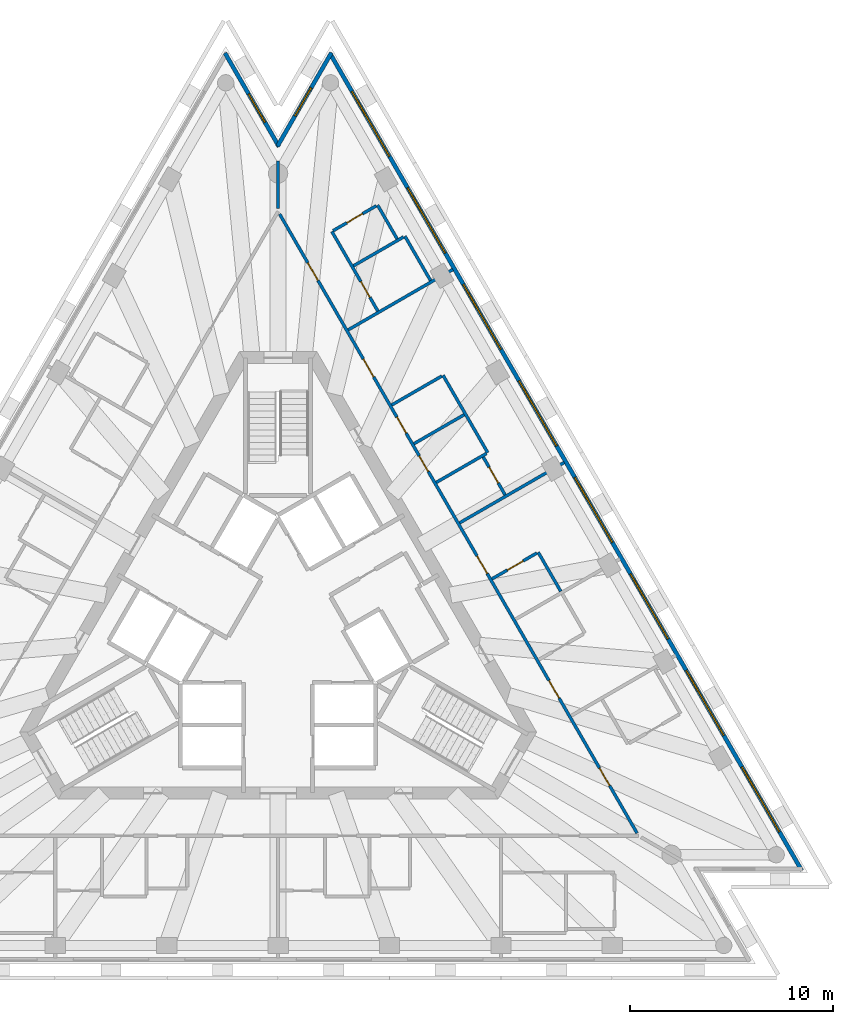
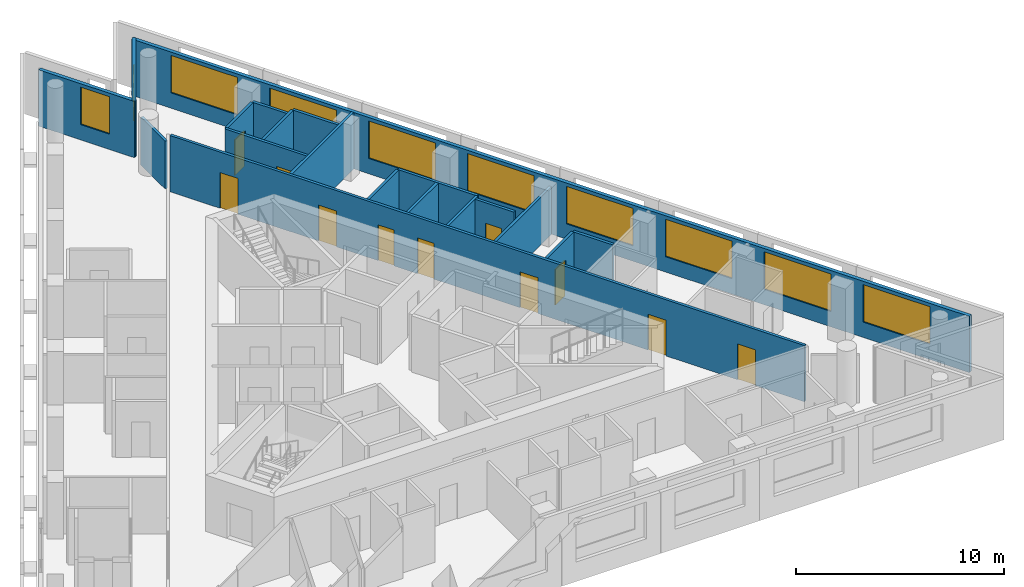
# One storey, part 7 of 9: 19 walls, 11 doors, 10 windows, 21 openings.
"""IFC4 building model written with IfcOpenShell, lengths in metres."""

from ifc_helpers import new_model, si_unit, direction, frame, frame_2d, origin, place, context, subcontext, project, spatial, rectangle, extrude, material, layer, layer_set, layer_usage, type_object, element, fill, save


model = new_model("IFC4")

# Units and contexts
model_context = context("Model", 3, precision=1e-05, world=origin(), true_north=direction((0.0, 1.0)))
body_context = subcontext(model_context, "Body", "Model", "MODEL_VIEW")
ifc_project = project(units=[si_unit("LENGTHUNIT", "METRE"), si_unit("AREAUNIT", "SQUARE_METRE"), si_unit("VOLUMEUNIT", "CUBIC_METRE"), si_unit("PLANEANGLEUNIT", "RADIAN"), si_unit("MASSUNIT", "GRAM", prefix="KILO")], contexts=[model_context])

# Site, building, storey
site_placement = place(None, origin())
site = spatial("IfcSite", under=ifc_project, at=site_placement, CompositionType="ELEMENT")
building_placement = place(site_placement, origin())
building = spatial("IfcBuilding", under=site, at=building_placement, Name="Triada Interchange Tower", CompositionType="ELEMENT")
storey_placement = place(building_placement, frame((0.0, 0.0, 279.10009765625)))
storey = spatial("IfcBuildingStorey", under=building, at=storey_placement, Name="L65", CompositionType="ELEMENT", Elevation=279.10009765625)

# Wall, openings, windows
ifc_material_1 = material(Name="Cement board")
ifc_layer_1 = layer(ifc_material_1, 0.02001953125, Name="Cement board cladding")
ifc_material_2 = material(Name="Sheathing board")
ifc_layer_2 = layer(ifc_material_2, 0.014892578125, Name="Sheathing board")
ifc_material_3 = material(Name="Mineral wool")
ifc_layer_3 = layer(ifc_material_3, 0.14990234375, Name="Mineral wool between steel studs")
ifc_material_4 = material(Name="Gypsum board")
ifc_layer_4 = layer(ifc_material_4, 0.014892578125, Name="Plasterboard lining")
ifc_layer_set_1 = layer_set([ifc_layer_1, ifc_layer_2, ifc_layer_3, ifc_layer_4], Name="External wall 200")
ifc_layer_usage = layer_usage(ifc_layer_set_1, "AXIS2", "POSITIVE", -0.10009765625)
wall_type_1 = type_object("IfcWallType", Name="External wall 200", PredefinedType="ELEMENTEDWALL", material=ifc_layer_set_1)
wall_1_placement = place(storey_placement, frame((25.791015625, -11.9619140625, 0.0), z_axis=(0.0, 0.0, 1.0), x_axis=(-0.500006870765, 0.86602143691, 0.0)))
wall_1 = element("IfcWall", 1, at=wall_1_placement, inside=storey, type_object=wall_type_1, material=ifc_layer_usage, Name="External wall L65 NE", PredefinedType="ELEMENTEDWALL", context=body_context, shape_type="SweptSolid", body=[
    extrude(rectangle(XDim=46.489501953125, YDim=0.199951171875, at=frame_2d((23.24462890625, 0.0))), origin(), (0.0, 0.0, 1.0), 3.2998046875),
])
opening_1_placement = place(wall_1_placement, frame((2.197021484375, 0.0, 0.89990234375)))
opening_1 = element("IfcOpeningElement", 2, at=opening_1_placement, cuts=wall_1, Name="Opening WD21", PredefinedType="OPENING", context=body_context, shape_type="SweptSolid", body=[
    extrude(rectangle(XDim=3.699951171875, YDim=2.199951171875, at=frame_2d((1.85009765625, 1.10009765625))), frame((0.0, 0.10986328125, 0.0), z_axis=(0.0, -1.0, 0.0), x_axis=(1.0, 0.0, 0.0)), (0.0, 0.0, 1.0), 0.219970703125),
])
opening_2_placement = place(wall_1_placement, frame((7.68505859375, 0.0, 0.89990234375)))
opening_2 = element("IfcOpeningElement", 3, at=opening_2_placement, cuts=wall_1, Name="Opening WD22", PredefinedType="OPENING", context=body_context, shape_type="SweptSolid", body=[
    extrude(rectangle(XDim=3.699951171875, YDim=2.199951171875, at=frame_2d((1.85009765625, 1.10009765625))), frame((0.0, 0.10986328125, 0.0), z_axis=(0.0, -1.0, 0.0), x_axis=(1.0, 0.0, 0.0)), (0.0, 0.0, 1.0), 0.219970703125),
])
opening_3_placement = place(wall_1_placement, frame((13.173095703125, 0.0, 0.89990234375)))
opening_3 = element("IfcOpeningElement", 4, at=opening_3_placement, cuts=wall_1, Name="Opening WD23", PredefinedType="OPENING", context=body_context, shape_type="SweptSolid", body=[
    extrude(rectangle(XDim=3.699951171875, YDim=2.199951171875, at=frame_2d((1.85009765625, 1.10009765625))), frame((0.0, 0.10986328125, 0.0), z_axis=(0.0, -1.0, 0.0), x_axis=(1.0, 0.0, 0.0)), (0.0, 0.0, 1.0), 0.219970703125),
])
opening_4_placement = place(wall_1_placement, frame((18.660888671875, 0.0, 0.89990234375)))
opening_4 = element("IfcOpeningElement", 5, at=opening_4_placement, cuts=wall_1, Name="Opening WD24", PredefinedType="OPENING", context=body_context, shape_type="SweptSolid", body=[
    extrude(rectangle(XDim=3.699951171875, YDim=2.199951171875, at=frame_2d((1.85009765625, 1.10009765625))), frame((0.0, 0.10986328125, 0.0), z_axis=(0.0, -1.0, 0.0), x_axis=(1.0, 0.0, 0.0)), (0.0, 0.0, 1.0), 0.219970703125),
])
opening_5_placement = place(wall_1_placement, frame((24.14892578125, 0.0, 0.89990234375)))
opening_5 = element("IfcOpeningElement", 6, at=opening_5_placement, cuts=wall_1, Name="Opening WD25", PredefinedType="OPENING", context=body_context, shape_type="SweptSolid", body=[
    extrude(rectangle(XDim=3.699951171875, YDim=2.199951171875, at=frame_2d((1.85009765625, 1.10009765625))), frame((0.0, 0.10986328125, 0.0), z_axis=(0.0, -1.0, 0.0), x_axis=(1.0, 0.0, 0.0)), (0.0, 0.0, 1.0), 0.219970703125),
])
opening_6_placement = place(wall_1_placement, frame((29.636962890625, 0.0, 0.89990234375)))
opening_6 = element("IfcOpeningElement", 7, at=opening_6_placement, cuts=wall_1, Name="Opening WD26", PredefinedType="OPENING", context=body_context, shape_type="SweptSolid", body=[
    extrude(rectangle(XDim=3.699951171875, YDim=2.199951171875, at=frame_2d((1.85009765625, 1.10009765625))), frame((0.0, 0.10986328125, 0.0), z_axis=(0.0, -1.0, 0.0), x_axis=(1.0, 0.0, 0.0)), (0.0, 0.0, 1.0), 0.219970703125),
])
opening_7_placement = place(wall_1_placement, frame((35.125, 0.0, 0.89990234375)))
opening_7 = element("IfcOpeningElement", 8, at=opening_7_placement, cuts=wall_1, Name="Opening WD27", PredefinedType="OPENING", context=body_context, shape_type="SweptSolid", body=[
    extrude(rectangle(XDim=3.699951171875, YDim=2.199951171875, at=frame_2d((1.85009765625, 1.10009765625))), frame((0.0, 0.10986328125, 0.0), z_axis=(0.0, -1.0, 0.0), x_axis=(1.0, 0.0, 0.0)), (0.0, 0.0, 1.0), 0.219970703125),
])
opening_8_placement = place(wall_1_placement, frame((40.613037109375, 0.0, 0.89990234375)))
opening_8 = element("IfcOpeningElement", 9, at=opening_8_placement, cuts=wall_1, Name="Opening WD28", PredefinedType="OPENING", context=body_context, shape_type="SweptSolid", body=[
    extrude(rectangle(XDim=3.699951171875, YDim=2.199951171875, at=frame_2d((1.85009765625, 1.10009765625))), frame((0.0, 0.10986328125, 0.0), z_axis=(0.0, -1.0, 0.0), x_axis=(1.0, 0.0, 0.0)), (0.0, 0.0, 1.0), 0.219970703125),
])
ifc_material_5 = material(Name="Double glazed aluminium window", Category="aluminium")
window_type_1 = type_object("IfcWindowType", Name="Ribbon window D face", PartitioningType="SINGLE_PANEL", PredefinedType="WINDOW", material=ifc_material_5)
window_1_placement = place(opening_1_placement, origin())
window_1 = element("IfcWindow", 10, at=window_1_placement, inside=storey, type_object=window_type_1, Name="Window L65 NE 1", OverallHeight=2.199951171875, OverallWidth=3.699951171875, PartitioningType="SINGLE_PANEL", PredefinedType="WINDOW", context=body_context, shape_type="SweptSolid", body=[
    extrude(rectangle(XDim=3.699951171875, YDim=2.199951171875, at=frame_2d((1.85009765625, 1.10009765625))), frame((0.0, 0.030029296875, 0.0), z_axis=(0.0, -1.0, 0.0), x_axis=(1.0, 0.0, 0.0)), (0.0, 0.0, 1.0), 0.06005859375),
])
fill(opening_1, window_1)
window_2_placement = place(opening_2_placement, origin())
window_2 = element("IfcWindow", 11, at=window_2_placement, inside=storey, type_object=window_type_1, Name="Window L65 NE 2", OverallHeight=2.199951171875, OverallWidth=3.699951171875, PartitioningType="SINGLE_PANEL", PredefinedType="WINDOW", context=body_context, shape_type="SweptSolid", body=[
    extrude(rectangle(XDim=3.699951171875, YDim=2.199951171875, at=frame_2d((1.85009765625, 1.10009765625))), frame((0.0, 0.030029296875, 0.0), z_axis=(0.0, -1.0, 0.0), x_axis=(1.0, 0.0, 0.0)), (0.0, 0.0, 1.0), 0.06005859375),
])
fill(opening_2, window_2)
window_3_placement = place(opening_3_placement, origin())
window_3 = element("IfcWindow", 12, at=window_3_placement, inside=storey, type_object=window_type_1, Name="Window L65 NE 3", OverallHeight=2.199951171875, OverallWidth=3.699951171875, PartitioningType="SINGLE_PANEL", PredefinedType="WINDOW", context=body_context, shape_type="SweptSolid", body=[
    extrude(rectangle(XDim=3.699951171875, YDim=2.199951171875, at=frame_2d((1.85009765625, 1.10009765625))), frame((0.0, 0.030029296875, 0.0), z_axis=(0.0, -1.0, 0.0), x_axis=(1.0, 0.0, 0.0)), (0.0, 0.0, 1.0), 0.06005859375),
])
fill(opening_3, window_3)
window_4_placement = place(opening_4_placement, origin())
window_4 = element("IfcWindow", 13, at=window_4_placement, inside=storey, type_object=window_type_1, Name="Window L65 NE 4", OverallHeight=2.199951171875, OverallWidth=3.699951171875, PartitioningType="SINGLE_PANEL", PredefinedType="WINDOW", context=body_context, shape_type="SweptSolid", body=[
    extrude(rectangle(XDim=3.699951171875, YDim=2.199951171875, at=frame_2d((1.85009765625, 1.10009765625))), frame((0.0, 0.030029296875, 0.0), z_axis=(0.0, -1.0, 0.0), x_axis=(1.0, 0.0, 0.0)), (0.0, 0.0, 1.0), 0.06005859375),
])
fill(opening_4, window_4)
window_5_placement = place(opening_5_placement, origin())
window_5 = element("IfcWindow", 14, at=window_5_placement, inside=storey, type_object=window_type_1, Name="Window L65 NE 5", OverallHeight=2.199951171875, OverallWidth=3.699951171875, PartitioningType="SINGLE_PANEL", PredefinedType="WINDOW", context=body_context, shape_type="SweptSolid", body=[
    extrude(rectangle(XDim=3.699951171875, YDim=2.199951171875, at=frame_2d((1.85009765625, 1.10009765625))), frame((0.0, 0.030029296875, 0.0), z_axis=(0.0, -1.0, 0.0), x_axis=(1.0, 0.0, 0.0)), (0.0, 0.0, 1.0), 0.06005859375),
])
fill(opening_5, window_5)
window_6_placement = place(opening_6_placement, origin())
window_6 = element("IfcWindow", 15, at=window_6_placement, inside=storey, type_object=window_type_1, Name="Window L65 NE 6", OverallHeight=2.199951171875, OverallWidth=3.699951171875, PartitioningType="SINGLE_PANEL", PredefinedType="WINDOW", context=body_context, shape_type="SweptSolid", body=[
    extrude(rectangle(XDim=3.699951171875, YDim=2.199951171875, at=frame_2d((1.85009765625, 1.10009765625))), frame((0.0, 0.030029296875, 0.0), z_axis=(0.0, -1.0, 0.0), x_axis=(1.0, 0.0, 0.0)), (0.0, 0.0, 1.0), 0.06005859375),
])
fill(opening_6, window_6)
window_7_placement = place(opening_7_placement, origin())
window_7 = element("IfcWindow", 16, at=window_7_placement, inside=storey, type_object=window_type_1, Name="Window L65 NE 7", OverallHeight=2.199951171875, OverallWidth=3.699951171875, PartitioningType="SINGLE_PANEL", PredefinedType="WINDOW", context=body_context, shape_type="SweptSolid", body=[
    extrude(rectangle(XDim=3.699951171875, YDim=2.199951171875, at=frame_2d((1.85009765625, 1.10009765625))), frame((0.0, 0.030029296875, 0.0), z_axis=(0.0, -1.0, 0.0), x_axis=(1.0, 0.0, 0.0)), (0.0, 0.0, 1.0), 0.06005859375),
])
fill(opening_7, window_7)
window_8_placement = place(opening_8_placement, origin())
window_8 = element("IfcWindow", 17, at=window_8_placement, inside=storey, type_object=window_type_1, Name="Window L65 NE 8", OverallHeight=2.199951171875, OverallWidth=3.699951171875, PartitioningType="SINGLE_PANEL", PredefinedType="WINDOW", context=body_context, shape_type="SweptSolid", body=[
    extrude(rectangle(XDim=3.699951171875, YDim=2.199951171875, at=frame_2d((1.85009765625, 1.10009765625))), frame((0.0, 0.030029296875, 0.0), z_axis=(0.0, -1.0, 0.0), x_axis=(1.0, 0.0, 0.0)), (0.0, 0.0, 1.0), 0.06005859375),
])
fill(opening_8, window_8)

# Wall, opening, window
wall_2_placement = place(storey_placement, frame((2.6259765625, 28.31591796875, 0.0), z_axis=(0.0, 0.0, 1.0), x_axis=(-0.500071953966, -0.865983857157, 0.0)))
wall_2 = element("IfcWall", 18, at=wall_2_placement, inside=storey, type_object=wall_type_1, material=ifc_layer_usage, Name="External wall L65 N-1", PredefinedType="ELEMENTEDWALL", context=body_context, shape_type="SweptSolid", body=[
    extrude(rectangle(XDim=5.321044921875, YDim=0.199951171875, at=frame_2d((2.66064453125, 0.0))), origin(), (0.0, 0.0, 1.0), 3.2998046875),
])
opening_9_placement = place(wall_2_placement, frame((1.989990234375, 0.0, 0.89990234375)))
opening_9 = element("IfcOpeningElement", 19, at=opening_9_placement, cuts=wall_2, Name="Opening WD29", PredefinedType="OPENING", context=body_context, shape_type="SweptSolid", body=[
    extrude(rectangle(XDim=1.60009765625, YDim=2.199951171875, at=frame_2d((0.800048828125, 1.10009765625))), frame((0.0, 0.10986328125, 0.0), z_axis=(0.0, -1.0, 0.0), x_axis=(1.0, 0.0, 0.0)), (0.0, 0.0, 1.0), 0.219970703125),
])
window_type_2 = type_object("IfcWindowType", Name="Ribbon window D pocket", PartitioningType="SINGLE_PANEL", PredefinedType="WINDOW", material=ifc_material_5)
window_9_placement = place(opening_9_placement, origin())
window_9 = element("IfcWindow", 20, at=window_9_placement, inside=storey, type_object=window_type_2, Name="Window L65 N-1 1", OverallHeight=2.199951171875, OverallWidth=1.60009765625, PartitioningType="SINGLE_PANEL", PredefinedType="WINDOW", context=body_context, shape_type="SweptSolid", body=[
    extrude(rectangle(XDim=1.60009765625, YDim=2.199951171875, at=frame_2d((0.800048828125, 1.10009765625))), frame((0.0, 0.030029296875, 0.0), z_axis=(0.0, -1.0, 0.0), x_axis=(1.0, 0.0, 0.0)), (0.0, 0.0, 1.0), 0.06005859375),
])
fill(opening_9, window_9)

wall_3_placement = place(storey_placement, frame((0.044921875, 23.69091796875, 0.0), z_axis=(0.0, 0.0, 1.0), x_axis=(-0.500052085069, 0.865995330367, 0.0)))
wall_3 = element("IfcWall", 21, at=wall_3_placement, inside=storey, type_object=wall_type_1, material=ifc_layer_usage, Name="External wall L65 N-2", PredefinedType="ELEMENTEDWALL", context=body_context, shape_type="SweptSolid", body=[
    extrude(rectangle(XDim=5.3212890625, YDim=0.199951171875, at=frame_2d((2.66064453125, 0.0))), origin(), (0.0, 0.0, 1.0), 3.2998046875),
])
opening_10_placement = place(wall_3_placement, frame((1.389892578125, 0.0, 0.89990234375)))
opening_10 = element("IfcOpeningElement", 22, at=opening_10_placement, cuts=wall_3, Name="Opening WD30", PredefinedType="OPENING", context=body_context, shape_type="SweptSolid", body=[
    extrude(rectangle(XDim=1.60009765625, YDim=2.199951171875, at=frame_2d((0.800048828125, 1.10009765625))), frame((0.0, 0.10986328125, 0.0), z_axis=(0.0, -1.0, 0.0), x_axis=(1.0, 0.0, 0.0)), (0.0, 0.0, 1.0), 0.219970703125),
])
window_10_placement = place(opening_10_placement, origin())
window_10 = element("IfcWindow", 23, at=window_10_placement, inside=storey, type_object=window_type_2, Name="Window L65 N-2 1", OverallHeight=2.199951171875, OverallWidth=1.60009765625, PartitioningType="SINGLE_PANEL", PredefinedType="WINDOW", context=body_context, shape_type="SweptSolid", body=[
    extrude(rectangle(XDim=1.60009765625, YDim=2.199951171875, at=frame_2d((0.800048828125, 1.10009765625))), frame((0.0, 0.030029296875, 0.0), z_axis=(0.0, -1.0, 0.0), x_axis=(1.0, 0.0, 0.0)), (0.0, 0.0, 1.0), 0.06005859375),
])
fill(opening_10, window_10)

# Walls
ifc_material_6 = material(Name="Gypsum board partition")
ifc_layer_5 = layer(ifc_material_6, 0.14990234375)
ifc_layer_set_2 = layer_set([ifc_layer_5], Name="PARTITION 150 EI 180")
wall_type_2 = type_object("IfcWallType", Name="PARTITION 150 EI 180", PredefinedType="PARTITIONING", material=ifc_layer_set_2)
wall_4_placement = place(storey_placement, frame((8.94189453125, 5.162109375, 0.0), z_axis=(0.0, 0.0, 1.0), x_axis=(0.866004483474, 0.50003623329, 0.0)))
element("IfcWall", 24, at=wall_4_placement, inside=storey, type_object=wall_type_2, Name="Wall L65 2", PredefinedType="PARTITIONING", context=body_context, shape_type="SweptSolid", body=[
    extrude(rectangle(XDim=5.94921875, YDim=0.14990234375, at=frame_2d((2.974609375, 0.0))), origin(), (0.0, 0.0, 1.0), 2.7998046875),
])
wall_5_placement = place(storey_placement, frame((0.0, 20.64990234375, 0.0), z_axis=(0.0, 0.0, 1.0), x_axis=(0.0, 1.0, 0.0)))
element("IfcWall", 25, at=wall_5_placement, inside=storey, type_object=wall_type_2, Name="Wall L65 18", PredefinedType="PARTITIONING", context=body_context, shape_type="SweptSolid", body=[
    extrude(rectangle(XDim=2.339111328125, YDim=0.14990234375, at=frame_2d((1.16943359375, 0.0))), origin(), (0.0, 0.0, 1.0), 2.7998046875),
])

# Wall, openings, doors
wall_6_placement = place(storey_placement, frame((0.074951171875, 20.3701171875, 0.0), z_axis=(0.0, 0.0, 1.0), x_axis=(0.500003985697, -0.866023102629, 0.0)))
wall_6 = element("IfcWall", 26, at=wall_6_placement, inside=storey, type_object=wall_type_2, Name="Wall L65 19", PredefinedType="PARTITIONING", context=body_context, shape_type="SweptSolid", body=[
    extrude(rectangle(XDim=35.205810546875, YDim=0.14990234375, at=frame_2d((17.60302734375, 0.0))), origin(), (0.0, 0.0, 1.0), 3.2998046875),
])
opening_11_placement = place(wall_6_placement, frame((31.506103515625, 0.0, 0.0)))
opening_11 = element("IfcOpeningElement", 27, at=opening_11_placement, cuts=wall_6, Name="Opening D65-25", PredefinedType="OPENING", context=body_context, shape_type="SweptSolid", body=[
    extrude(rectangle(XDim=1.0, YDim=2.10009765625, at=frame_2d((0.5, 1.050048828125))), frame((0.0, 0.0849609375, 0.0), z_axis=(0.0, -1.0, 0.0), x_axis=(1.0, 0.0, 0.0)), (0.0, 0.0, 1.0), 0.169921875),
])
opening_12_placement = place(wall_6_placement, frame((26.529052734375, 0.0, 0.0)))
opening_12 = element("IfcOpeningElement", 28, at=opening_12_placement, cuts=wall_6, Name="Opening D65-27", PredefinedType="OPENING", context=body_context, shape_type="SweptSolid", body=[
    extrude(rectangle(XDim=1.0, YDim=2.10009765625, at=frame_2d((0.5, 1.050048828125))), frame((0.0, 0.0849609375, 0.0), z_axis=(0.0, -1.0, 0.0), x_axis=(1.0, 0.0, 0.0)), (0.0, 0.0, 1.0), 0.169921875),
])
opening_13_placement = place(wall_6_placement, frame((19.44189453125, 0.0, 0.0)))
opening_13 = element("IfcOpeningElement", 29, at=opening_13_placement, cuts=wall_6, Name="Opening D65-29", PredefinedType="OPENING", context=body_context, shape_type="SweptSolid", body=[
    extrude(rectangle(XDim=1.0, YDim=2.10009765625, at=frame_2d((0.5, 1.050048828125))), frame((0.0, 0.0849609375, 0.0), z_axis=(0.0, -1.0, 0.0), x_axis=(1.0, 0.0, 0.0)), (0.0, 0.0, 1.0), 0.169921875),
])
opening_14_placement = place(wall_6_placement, frame((8.25390625, 0.0, 0.0)))
opening_14 = element("IfcOpeningElement", 30, at=opening_14_placement, cuts=wall_6, Name="Opening D65-31", PredefinedType="OPENING", context=body_context, shape_type="SweptSolid", body=[
    extrude(rectangle(XDim=1.0, YDim=2.10009765625, at=frame_2d((0.5, 1.050048828125))), frame((0.0, 0.0849609375, 0.0), z_axis=(0.0, -1.0, 0.0), x_axis=(1.0, 0.0, 0.0)), (0.0, 0.0, 1.0), 0.169921875),
])
opening_15_placement = place(wall_6_placement, frame((13.75390625, 0.0, 0.0)))
opening_15 = element("IfcOpeningElement", 31, at=opening_15_placement, cuts=wall_6, Name="Opening D65-33", PredefinedType="OPENING", context=body_context, shape_type="SweptSolid", body=[
    extrude(rectangle(XDim=0.89990234375, YDim=2.10009765625, at=frame_2d((0.449951171875, 1.050048828125))), frame((0.0, 0.0849609375, 0.0), z_axis=(0.0, -1.0, 0.0), x_axis=(1.0, 0.0, 0.0)), (0.0, 0.0, 1.0), 0.169921875),
])
opening_16_placement = place(wall_6_placement, frame((11.553955078125, 0.0, 0.0)))
opening_16 = element("IfcOpeningElement", 32, at=opening_16_placement, cuts=wall_6, Name="Opening D65-34", PredefinedType="OPENING", context=body_context, shape_type="SweptSolid", body=[
    extrude(rectangle(XDim=0.89990234375, YDim=2.10009765625, at=frame_2d((0.449951171875, 1.050048828125))), frame((0.0, 0.0849609375, 0.0), z_axis=(0.0, -1.0, 0.0), x_axis=(1.0, 0.0, 0.0)), (0.0, 0.0, 1.0), 0.169921875),
])
opening_17_placement = place(wall_6_placement, frame((2.777099609375, 0.0, 0.0)))
opening_17 = element("IfcOpeningElement", 33, at=opening_17_placement, cuts=wall_6, Name="Opening D65-35", PredefinedType="OPENING", context=body_context, shape_type="SweptSolid", body=[
    extrude(rectangle(XDim=1.0, YDim=2.10009765625, at=frame_2d((0.5, 1.050048828125))), frame((0.0, 0.0849609375, 0.0), z_axis=(0.0, -1.0, 0.0), x_axis=(1.0, 0.0, 0.0)), (0.0, 0.0, 1.0), 0.169921875),
])
ifc_material_7 = material(Name="Steel S235 door leaf", Category="steel")
door_type_1 = type_object("IfcDoorType", Name="GUEST ROOM DOOR 1000 EI2 90-C5S200", OperationType="NOTDEFINED", PredefinedType="DOOR", material=ifc_material_7)
door_1_placement = place(opening_11_placement, origin())
door_1 = element("IfcDoor", 34, at=door_1_placement, inside=storey, type_object=door_type_1, Name="Door D65-25 L65", OperationType="SINGLE_SWING_RIGHT", OverallHeight=2.10009765625, OverallWidth=1.0, PredefinedType="DOOR", context=body_context, shape_type="SweptSolid", body=[
    extrude(rectangle(XDim=1.0, YDim=2.10009765625, at=frame_2d((0.5, 1.050048828125))), frame((0.0, 0.02490234375, 0.0), z_axis=(0.0, -1.0, 0.0), x_axis=(1.0, 0.0, 0.0)), (0.0, 0.0, 1.0), 0.050048828125),
])
fill(opening_11, door_1)
door_2_placement = place(opening_12_placement, origin())
door_2 = element("IfcDoor", 35, at=door_2_placement, inside=storey, type_object=door_type_1, Name="Door D65-27 L65", OperationType="SINGLE_SWING_LEFT", OverallHeight=2.10009765625, OverallWidth=1.0, PredefinedType="DOOR", context=body_context, shape_type="SweptSolid", body=[
    extrude(rectangle(XDim=1.0, YDim=2.10009765625, at=frame_2d((0.5, 1.050048828125))), frame((0.0, 0.02490234375, 0.0), z_axis=(0.0, -1.0, 0.0), x_axis=(1.0, 0.0, 0.0)), (0.0, 0.0, 1.0), 0.050048828125),
])
fill(opening_12, door_2)
door_3_placement = place(opening_13_placement, origin())
door_3 = element("IfcDoor", 36, at=door_3_placement, inside=storey, type_object=door_type_1, Name="Door D65-29 L65", OperationType="SINGLE_SWING_LEFT", OverallHeight=2.10009765625, OverallWidth=1.0, PredefinedType="DOOR", context=body_context, shape_type="SweptSolid", body=[
    extrude(rectangle(XDim=1.0, YDim=2.10009765625, at=frame_2d((0.5, 1.050048828125))), frame((0.0, 0.02490234375, 0.0), z_axis=(0.0, -1.0, 0.0), x_axis=(1.0, 0.0, 0.0)), (0.0, 0.0, 1.0), 0.050048828125),
])
fill(opening_13, door_3)
door_4_placement = place(opening_14_placement, origin())
door_4 = element("IfcDoor", 37, at=door_4_placement, inside=storey, type_object=door_type_1, Name="Door D65-31 L65", OperationType="SINGLE_SWING_RIGHT", OverallHeight=2.10009765625, OverallWidth=1.0, PredefinedType="DOOR", context=body_context, shape_type="SweptSolid", body=[
    extrude(rectangle(XDim=1.0, YDim=2.10009765625, at=frame_2d((0.5, 1.050048828125))), frame((0.0, 0.02490234375, 0.0), z_axis=(0.0, -1.0, 0.0), x_axis=(1.0, 0.0, 0.0)), (0.0, 0.0, 1.0), 0.050048828125),
])
fill(opening_14, door_4)
door_5_placement = place(opening_17_placement, origin())
door_5 = element("IfcDoor", 38, at=door_5_placement, inside=storey, type_object=door_type_1, Name="Door D65-35 L65", OperationType="SINGLE_SWING_LEFT", OverallHeight=2.10009765625, OverallWidth=1.0, PredefinedType="DOOR", context=body_context, shape_type="SweptSolid", body=[
    extrude(rectangle(XDim=1.0, YDim=2.10009765625, at=frame_2d((0.5, 1.050048828125))), frame((0.0, 0.02490234375, 0.0), z_axis=(0.0, -1.0, 0.0), x_axis=(1.0, 0.0, 0.0)), (0.0, 0.0, 1.0), 0.050048828125),
])
fill(opening_17, door_5)
door_type_2 = type_object("IfcDoorType", Name="ROOM DOOR 900 EI2 90-C5S200", OperationType="NOTDEFINED", PredefinedType="DOOR", material=ifc_material_7)
door_6_placement = place(opening_16_placement, origin())
door_6 = element("IfcDoor", 39, at=door_6_placement, inside=storey, type_object=door_type_2, Name="Door D65-34 L65", OperationType="SINGLE_SWING_LEFT", OverallHeight=2.10009765625, OverallWidth=0.89990234375, PredefinedType="DOOR", context=body_context, shape_type="SweptSolid", body=[
    extrude(rectangle(XDim=0.89990234375, YDim=2.10009765625, at=frame_2d((0.449951171875, 1.050048828125))), frame((0.0, 0.02490234375, 0.0), z_axis=(0.0, -1.0, 0.0), x_axis=(1.0, 0.0, 0.0)), (0.0, 0.0, 1.0), 0.050048828125),
])
fill(opening_16, door_6)
door_type_3 = type_object("IfcDoorType", Name="SERVICE DOOR 900 EI2 90-C5S200", OperationType="NOTDEFINED", PredefinedType="DOOR", material=ifc_material_7)
door_7_placement = place(opening_15_placement, origin())
door_7 = element("IfcDoor", 40, at=door_7_placement, inside=storey, type_object=door_type_3, Name="Door D65-33 L65", OperationType="SINGLE_SWING_LEFT", OverallHeight=2.10009765625, OverallWidth=0.89990234375, PredefinedType="DOOR", context=body_context, shape_type="SweptSolid", body=[
    extrude(rectangle(XDim=0.89990234375, YDim=2.10009765625, at=frame_2d((0.449951171875, 1.050048828125))), frame((0.0, 0.02490234375, 0.0), z_axis=(0.0, -1.0, 0.0), x_axis=(1.0, 0.0, 0.0)), (0.0, 0.0, 1.0), 0.050048828125),
])
fill(opening_15, door_7)

# Walls
wall_7_placement = place(storey_placement, frame((3.4541015625, 14.66796875, 0.0), z_axis=(0.0, 0.0, 1.0), x_axis=(0.865976450533, 0.500084779935, 0.0)))
element("IfcWall", 41, at=wall_7_placement, inside=storey, type_object=wall_type_2, Name="Wall L65 22", PredefinedType="PARTITIONING", context=body_context, shape_type="SweptSolid", body=[
    extrude(rectangle(XDim=5.94921875, YDim=0.14990234375, at=frame_2d((2.974609375, 0.0))), origin(), (0.0, 0.0, 1.0), 3.2998046875),
])
wall_8_placement = place(storey_placement, frame((8.125, 12.427001953125, 0.0), z_axis=(0.0, 0.0, 1.0), x_axis=(0.500036278648, -0.866004457284, 0.0)))
element("IfcWall", 42, at=wall_8_placement, inside=storey, type_object=wall_type_2, Name="Wall L65 24", PredefinedType="PARTITIONING", context=body_context, shape_type="SweptSolid", body=[
    extrude(rectangle(XDim=4.399658203125, YDim=0.14990234375, at=frame_2d((2.19970703125, 0.0))), origin(), (0.0, 0.0, 1.0), 3.2998046875),
])
for number, where, z_axis, x_axis, name in (
    (43, (5.592041015625, 10.965087890625, 0.0), (0.0, 0.0, 1.0), (0.866041498374, 0.499972122318, 0.0), "Wall L65 25"),
    (44, (6.69189453125, 9.06005859375, 0.0), (0.0, 0.0, 1.0), (0.866004402611, 0.500036373335, 0.0), "Wall L65 26"),
    (45, (7.7919921875, 7.154052734375, 0.0), (0.0, 0.0, 1.0), (0.866004402611, 0.500036373335, 0.0), "Wall L65 27"),
):
    element("IfcWall", number, at=place(storey_placement, frame(where, z_axis=z_axis, x_axis=x_axis)), inside=storey, type_object=wall_type_2, Name=name, PredefinedType="PARTITIONING", context=body_context, shape_type="SweptSolid", body=[
        extrude(rectangle(XDim=2.849853515625, YDim=0.14990234375, at=frame_2d((1.4248046875, 0.0))), origin(), (0.0, 0.0, 1.0), 3.2998046875),
    ])

# Wall, opening, door
ifc_layer_6 = layer(ifc_material_6, 0.14990234375)
ifc_layer_set_3 = layer_set([ifc_layer_6], Name="PARTITION 150 EI 90")
wall_type_3 = type_object("IfcWallType", Name="PARTITION 150 EI 90", PredefinedType="PARTITIONING", material=ifc_layer_set_3)
wall_9_placement = place(storey_placement, frame((2.64697265625, 19.513916015625, 0.0), z_axis=(0.0, 0.0, 1.0), x_axis=(0.500149036902, -0.865939340188, 0.0)))
wall_9 = element("IfcWall", 46, at=wall_9_placement, inside=storey, type_object=wall_type_3, Name="Wall L65 54", PredefinedType="PARTITIONING", context=body_context, shape_type="SweptSolid", body=[
    extrude(rectangle(XDim=4.5244140625, YDim=0.14990234375, at=frame_2d((2.26220703125, 0.0))), origin(), (0.0, 0.0, 1.0), 3.2998046875),
])
opening_18_placement = place(wall_9_placement, frame((2.85009765625, 0.0, 0.0)))
opening_18 = element("IfcOpeningElement", 47, at=opening_18_placement, cuts=wall_9, Name="Opening D65-36", PredefinedType="OPENING", context=body_context, shape_type="SweptSolid", body=[
    extrude(rectangle(XDim=0.89990234375, YDim=2.10009765625, at=frame_2d((0.449951171875, 1.050048828125))), frame((0.0, 0.0849609375, 0.0), z_axis=(0.0, -1.0, 0.0), x_axis=(1.0, 0.0, 0.0)), (0.0, 0.0, 1.0), 0.169921875),
])
door_type_4 = type_object("IfcDoorType", Name="ROOM DOOR 900 EI2 45-C5S200", OperationType="NOTDEFINED", PredefinedType="DOOR", material=ifc_material_7)
door_8_placement = place(opening_18_placement, origin())
door_8 = element("IfcDoor", 48, at=door_8_placement, inside=storey, type_object=door_type_4, Name="Door D65-36 L65", OperationType="SINGLE_SWING_RIGHT", OverallHeight=2.10009765625, OverallWidth=0.89990234375, PredefinedType="DOOR", context=body_context, shape_type="SweptSolid", body=[
    extrude(rectangle(XDim=0.89990234375, YDim=2.10009765625, at=frame_2d((0.449951171875, 1.050048828125))), frame((0.0, 0.02490234375, 0.0), z_axis=(0.0, -1.0, 0.0), x_axis=(1.0, 0.0, 0.0)), (0.0, 0.0, 1.0), 0.050048828125),
])
fill(opening_18, door_8)

# Walls
wall_10_placement = place(storey_placement, frame((6.24609375, 19.281982421875, 0.0), z_axis=(0.0, 0.0, 1.0), x_axis=(0.499956887143, -0.866050293573, 0.0)))
element("IfcWall", 49, at=wall_10_placement, inside=storey, type_object=wall_type_3, Name="Wall L65 56", PredefinedType="PARTITIONING", context=body_context, shape_type="SweptSolid", body=[
    extrude(rectangle(XDim=2.524169921875, YDim=0.14990234375, at=frame_2d((1.26220703125, 0.0))), origin(), (0.0, 0.0, 1.0), 3.2998046875),
])
wall_11_placement = place(storey_placement, frame((3.7119140625, 17.820068359375, 0.0), z_axis=(0.0, 0.0, 1.0), x_axis=(0.866090043625, 0.499888023795, 0.0)))
element("IfcWall", 50, at=wall_11_placement, inside=storey, type_object=wall_type_3, Name="Wall L65 58", PredefinedType="PARTITIONING", context=body_context, shape_type="SweptSolid", body=[
    extrude(rectangle(XDim=2.850830078125, YDim=0.14990234375, at=frame_2d((1.42529296875, 0.0))), origin(), (0.0, 0.0, 1.0), 3.2998046875),
])
wall_12_placement = place(storey_placement, frame((4.89892578125, 20.81396484375, 0.0), z_axis=(0.0, 0.0, 1.0), x_axis=(0.500271259635, -0.865868735308, 0.0)))
element("IfcWall", 51, at=wall_12_placement, inside=storey, type_object=wall_type_3, Name="Wall L65 59", PredefinedType="PARTITIONING", context=body_context, shape_type="SweptSolid", body=[
    extrude(rectangle(XDim=1.92529296875, YDim=0.14990234375, at=frame_2d((0.962646484375, 0.0))), origin(), (0.0, 0.0, 1.0), 3.2998046875),
])

# Wall, opening, door
wall_13_placement = place(storey_placement, frame((2.7119140625, 19.552001953125, 0.0), z_axis=(0.0, 0.0, 1.0), x_axis=(0.8660395779, 0.499975448907, 0.0)))
wall_13 = element("IfcWall", 52, at=wall_13_placement, inside=storey, type_object=wall_type_3, Name="Wall L65 60", PredefinedType="PARTITIONING", context=body_context, shape_type="SweptSolid", body=[
    extrude(rectangle(XDim=2.4501953125, YDim=0.14990234375, at=frame_2d((1.22509765625, 0.0))), origin(), (0.0, 0.0, 1.0), 3.2998046875),
])
opening_19_placement = place(wall_13_placement, frame((0.77490234375, 0.0, 0.0)))
opening_19 = element("IfcOpeningElement", 53, at=opening_19_placement, cuts=wall_13, Name="Opening D65-37", PredefinedType="OPENING", context=body_context, shape_type="SweptSolid", body=[
    extrude(rectangle(XDim=0.89990234375, YDim=2.10009765625, at=frame_2d((0.449951171875, 1.050048828125))), frame((0.0, 0.0849609375, 0.0), z_axis=(0.0, -1.0, 0.0), x_axis=(1.0, 0.0, 0.0)), (0.0, 0.0, 1.0), 0.169921875),
])
door_type_5 = type_object("IfcDoorType", Name="SERVICE DOOR 900 EI2 45-C5S200", OperationType="NOTDEFINED", PredefinedType="DOOR", material=ifc_material_7)
door_9_placement = place(opening_19_placement, origin())
door_9 = element("IfcDoor", 54, at=door_9_placement, inside=storey, type_object=door_type_5, Name="Door D65-37 L65", OperationType="SINGLE_SWING_LEFT", OverallHeight=2.10009765625, OverallWidth=0.89990234375, PredefinedType="DOOR", context=body_context, shape_type="SweptSolid", body=[
    extrude(rectangle(XDim=0.89990234375, YDim=2.10009765625, at=frame_2d((0.449951171875, 1.050048828125))), frame((0.0, 0.02490234375, 0.0), z_axis=(0.0, -1.0, 0.0), x_axis=(1.0, 0.0, 0.0)), (0.0, 0.0, 1.0), 0.050048828125),
])
fill(opening_19, door_9)

wall_14_placement = place(storey_placement, frame((10.10302734375, 8.402099609375, 0.0), z_axis=(0.0, 0.0, 1.0), x_axis=(0.499961633463, -0.866047553582, 0.0)))
wall_14 = element("IfcWall", 55, at=wall_14_placement, inside=storey, type_object=wall_type_3, Name="Wall L65 61", PredefinedType="PARTITIONING", context=body_context, shape_type="SweptSolid", body=[
    extrude(rectangle(XDim=2.150146484375, YDim=0.14990234375, at=frame_2d((1.0751953125, 0.0))), origin(), (0.0, 0.0, 1.0), 3.2998046875),
])
opening_20_placement = place(wall_14_placement, frame((0.574951171875, 0.0, 0.0)))
opening_20 = element("IfcOpeningElement", 56, at=opening_20_placement, cuts=wall_14, Name="Opening D65-32", PredefinedType="OPENING", context=body_context, shape_type="SweptSolid", body=[
    extrude(rectangle(XDim=0.89990234375, YDim=2.10009765625, at=frame_2d((0.449951171875, 1.050048828125))), frame((0.0, 0.0849609375, 0.0), z_axis=(0.0, -1.0, 0.0), x_axis=(1.0, 0.0, 0.0)), (0.0, 0.0, 1.0), 0.169921875),
])
door_10_placement = place(opening_20_placement, origin())
door_10 = element("IfcDoor", 57, at=door_10_placement, inside=storey, type_object=door_type_4, Name="Door D65-32 L65", OperationType="SINGLE_SWING_LEFT", OverallHeight=2.10009765625, OverallWidth=0.89990234375, PredefinedType="DOOR", context=body_context, shape_type="SweptSolid", body=[
    extrude(rectangle(XDim=0.89990234375, YDim=2.10009765625, at=frame_2d((0.449951171875, 1.050048828125))), frame((0.0, 0.02490234375, 0.0), z_axis=(0.0, -1.0, 0.0), x_axis=(1.0, 0.0, 0.0)), (0.0, 0.0, 1.0), 0.050048828125),
])
fill(opening_20, door_10)

# Wall
wall_15_placement = place(storey_placement, frame((12.80908203125, 3.714111328125, 0.0), z_axis=(0.0, 0.0, 1.0), x_axis=(0.500162441854, -0.865931597621, 0.0)))
element("IfcWall", 58, at=wall_15_placement, inside=storey, type_object=wall_type_3, Name="Wall L65 62", PredefinedType="PARTITIONING", context=body_context, shape_type="SweptSolid", body=[
    extrude(rectangle(XDim=2.225341796875, YDim=0.14990234375, at=frame_2d((1.11279296875, 0.0))), origin(), (0.0, 0.0, 1.0), 3.2998046875),
])

# Wall, opening, door
wall_16_placement = place(storey_placement, frame((10.535888671875, 2.40087890625, 0.0), z_axis=(0.0, 0.0, 1.0), x_axis=(0.865965520905, 0.500103705848, 0.0)))
wall_16 = element("IfcWall", 59, at=wall_16_placement, inside=storey, type_object=wall_type_3, Name="Wall L65 66", PredefinedType="PARTITIONING", context=body_context, shape_type="SweptSolid", body=[
    extrude(rectangle(XDim=2.5498046875, YDim=0.14990234375, at=frame_2d((1.27490234375, 0.0))), origin(), (0.0, 0.0, 1.0), 3.2998046875),
])
opening_21_placement = place(wall_16_placement, frame((0.875, 0.0, 0.0)))
opening_21 = element("IfcOpeningElement", 60, at=opening_21_placement, cuts=wall_16, Name="Opening D65-30", PredefinedType="OPENING", context=body_context, shape_type="SweptSolid", body=[
    extrude(rectangle(XDim=0.89990234375, YDim=2.10009765625, at=frame_2d((0.449951171875, 1.050048828125))), frame((0.0, 0.0849609375, 0.0), z_axis=(0.0, -1.0, 0.0), x_axis=(1.0, 0.0, 0.0)), (0.0, 0.0, 1.0), 0.169921875),
])
door_11_placement = place(opening_21_placement, origin())
door_11 = element("IfcDoor", 61, at=door_11_placement, inside=storey, type_object=door_type_4, Name="Door D65-30 L65", OperationType="SINGLE_SWING_RIGHT", OverallHeight=2.10009765625, OverallWidth=0.89990234375, PredefinedType="DOOR", context=body_context, shape_type="SweptSolid", body=[
    extrude(rectangle(XDim=0.89990234375, YDim=2.10009765625, at=frame_2d((0.449951171875, 1.050048828125))), frame((0.0, 0.02490234375, 0.0), z_axis=(0.0, -1.0, 0.0), x_axis=(1.0, 0.0, 0.0)), (0.0, 0.0, 1.0), 0.050048828125),
])
fill(opening_21, door_11)

save(model, "model.ifc")
